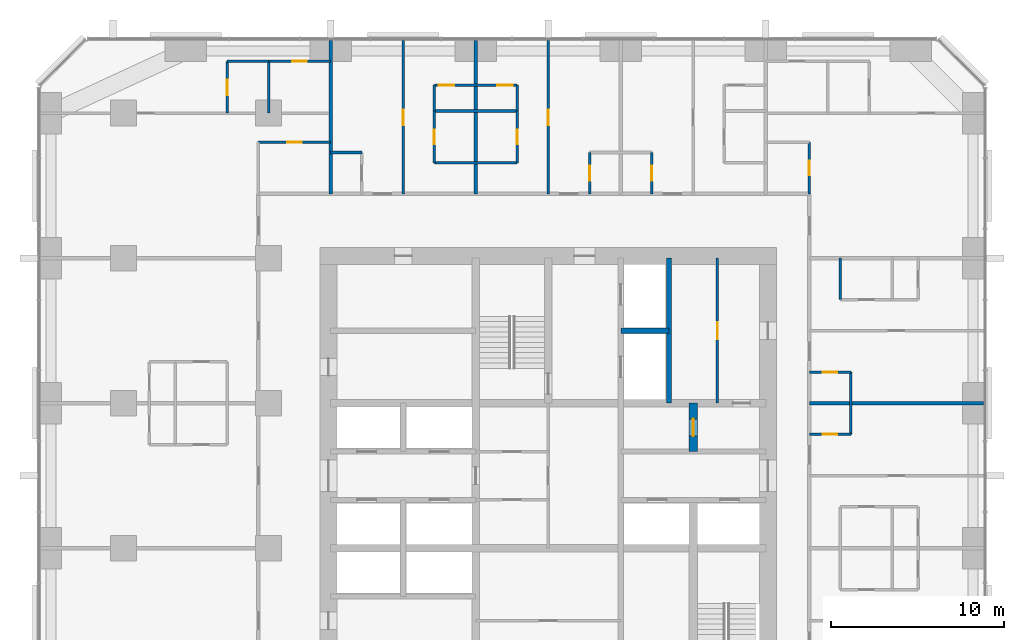
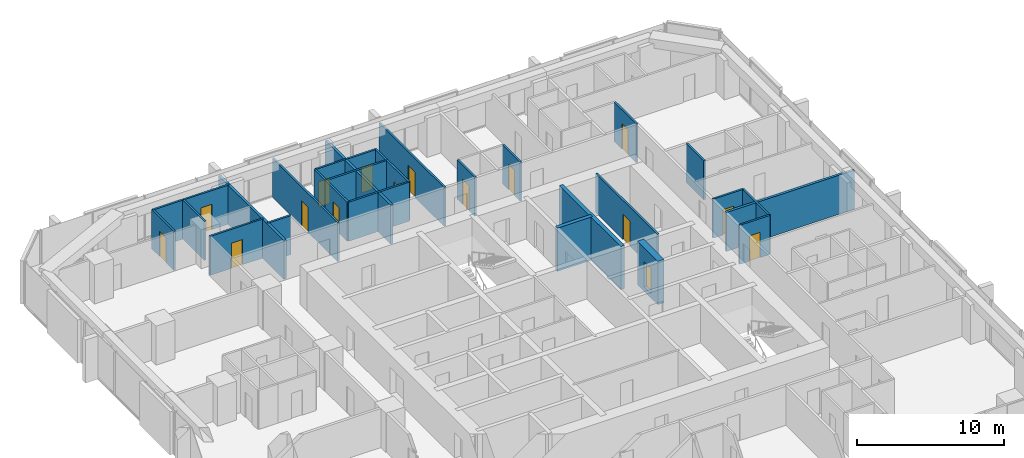
# One storey, part 12 of 14: 29 walls, 16 doors, 16 openings.
"""IFC4 building model written with IfcOpenShell, lengths in metres."""

from ifc_helpers import new_model, si_unit, direction, frame, frame_2d, origin, place, context, subcontext, project, spatial, rectangle, extrude, material, layer, layer_set, type_object, element, fill, save


model = new_model("IFC4")

# Units and contexts
model_context = context("Model", 3, precision=1e-05, world=origin(), true_north=direction((0.0, 1.0)))
body_context = subcontext(model_context, "Body", "Model", "MODEL_VIEW")
ifc_project = project(units=[si_unit("LENGTHUNIT", "METRE"), si_unit("AREAUNIT", "SQUARE_METRE"), si_unit("VOLUMEUNIT", "CUBIC_METRE"), si_unit("PLANEANGLEUNIT", "RADIAN"), si_unit("MASSUNIT", "GRAM", prefix="KILO")], contexts=[model_context])

# Site, building, storey
site_placement = place(None, origin())
site = spatial("IfcSite", under=ifc_project, at=site_placement, CompositionType="ELEMENT")
building_placement = place(site_placement, origin())
building = spatial("IfcBuilding", under=site, at=building_placement, Name="Dunama Terrace Hotel", CompositionType="ELEMENT")
storey_placement = place(building_placement, frame((0.0, 0.0, 126.0)))
storey = spatial("IfcBuildingStorey", under=building, at=storey_placement, Name="L32", CompositionType="ELEMENT", Elevation=126.0)

# Wall, opening, door
ifc_material_1 = material(Name="Gypsum board partition", Category="masonry")
ifc_layer_1 = layer(ifc_material_1, 0.14990234375)
ifc_layer_set_1 = layer_set([ifc_layer_1], Name="Bathroom partition 150")
wall_type_1 = type_object("IfcWallType", Name="Bathroom partition 150", PredefinedType="PARTITIONING", material=ifc_layer_set_1)
wall_1_placement = place(storey_placement, frame((22.800048828125, 47.52490234375, 0.0), z_axis=(0.0, 0.0, 1.0), x_axis=(0.0, 1.0, 0.0)))
wall_1 = element("IfcWall", 1, at=wall_1_placement, inside=storey, type_object=wall_type_1, Name="Bathroom partition 150 L32", PredefinedType="PARTITIONING", context=body_context, shape_type="SweptSolid", body=[
    extrude(rectangle(XDim=3.0, YDim=0.14990234375, at=frame_2d((1.5, 0.0))), origin(), (0.0, 0.0, 1.0), 3.25),
])
opening_1_placement = place(wall_1_placement, frame((1.074951171875, 0.0, 0.0)))
opening_1 = element("IfcOpeningElement", 2, at=opening_1_placement, cuts=wall_1, Name="Opening L31-33-041", PredefinedType="OPENING", context=body_context, shape_type="SweptSolid", body=[
    extrude(rectangle(XDim=0.85009765625, YDim=2.10009765625, at=frame_2d((0.425048828125, 1.050048828125))), frame((0.0, 0.0849609375, 0.0), z_axis=(0.0, -1.0, 0.0), x_axis=(1.0, 0.0, 0.0)), (0.0, 0.0, 1.0), 0.169921875),
])
ifc_material_2 = material(Name="Timber door with steel frame", Category="steel")
door_type_1 = type_object("IfcDoorType", Name="Bathroom door 850", OperationType="SINGLE_SWING_LEFT", PredefinedType="DOOR", material=ifc_material_2)
door_1_placement = place(opening_1_placement, frame((0.85009765625, 0.0, 0.0), z_axis=(0.0, 0.0, 1.0), x_axis=(-1.0, 0.0, 0.0)))
door_1 = element("IfcDoor", 3, at=door_1_placement, inside=storey, type_object=door_type_1, Name="Door to en-suite bathroom L31-33-041, type D2", OperationType="SINGLE_SWING_LEFT", OverallHeight=2.10009765625, OverallWidth=0.85009765625, PredefinedType="DOOR", context=body_context, shape_type="SweptSolid", body=[
    extrude(rectangle(XDim=0.85009765625, YDim=2.10009765625, at=frame_2d((0.425048828125, 1.050048828125))), frame((0.0, 0.025146484375, 0.0), z_axis=(0.0, -1.0, 0.0), x_axis=(1.0, 0.0, 0.0)), (0.0, 0.0, 1.0), 0.050048828125),
])
fill(opening_1, door_1)

wall_2_placement = place(storey_placement, frame((27.60009765625, 47.52490234375, 0.0), z_axis=(0.0, 0.0, 1.0), x_axis=(0.0, 1.0, 0.0)))
wall_2 = element("IfcWall", 4, at=wall_2_placement, inside=storey, type_object=wall_type_1, Name="Bathroom partition 150 L32", PredefinedType="PARTITIONING", context=body_context, shape_type="SweptSolid", body=[
    extrude(rectangle(XDim=3.0, YDim=0.14990234375, at=frame_2d((1.5, 0.0))), origin(), (0.0, 0.0, 1.0), 3.25),
])
opening_2_placement = place(wall_2_placement, frame((1.074951171875, 0.0, 0.0)))
opening_2 = element("IfcOpeningElement", 5, at=opening_2_placement, cuts=wall_2, Name="Opening L31-33-046", PredefinedType="OPENING", context=body_context, shape_type="SweptSolid", body=[
    extrude(rectangle(XDim=0.85009765625, YDim=2.10009765625, at=frame_2d((0.425048828125, 1.050048828125))), frame((0.0, 0.0849609375, 0.0), z_axis=(0.0, -1.0, 0.0), x_axis=(1.0, 0.0, 0.0)), (0.0, 0.0, 1.0), 0.169921875),
])
door_2_placement = place(opening_2_placement, origin())
door_2 = element("IfcDoor", 6, at=door_2_placement, inside=storey, type_object=door_type_1, Name="Door to en-suite bathroom L31-33-046, type D2", OperationType="SINGLE_SWING_RIGHT", OverallHeight=2.10009765625, OverallWidth=0.85009765625, PredefinedType="DOOR", context=body_context, shape_type="SweptSolid", body=[
    extrude(rectangle(XDim=0.85009765625, YDim=2.10009765625, at=frame_2d((0.425048828125, 1.050048828125))), frame((0.0, 0.02490234375, 0.0), z_axis=(0.0, -1.0, 0.0), x_axis=(1.0, 0.0, 0.0)), (0.0, 0.0, 1.0), 0.050048828125),
])
fill(opening_2, door_2)

wall_3_placement = place(storey_placement, frame((31.800048828125, 45.72509765625, 0.0), z_axis=(0.0, 0.0, 1.0), x_axis=(0.0, 1.0, 0.0)))
wall_3 = element("IfcWall", 7, at=wall_3_placement, inside=storey, type_object=wall_type_1, Name="Bathroom partition 150 L32", PredefinedType="PARTITIONING", context=body_context, shape_type="SweptSolid", body=[
    extrude(rectangle(XDim=2.39990234375, YDim=0.14990234375, at=frame_2d((1.199951171875, 0.0))), origin(), (0.0, 0.0, 1.0), 3.25),
])
opening_3_placement = place(wall_3_placement, frame((0.77490234375, 0.0, 0.0)))
opening_3 = element("IfcOpeningElement", 8, at=opening_3_placement, cuts=wall_3, Name="Opening L31-33-044", PredefinedType="OPENING", context=body_context, shape_type="SweptSolid", body=[
    extrude(rectangle(XDim=0.85009765625, YDim=2.10009765625, at=frame_2d((0.425048828125, 1.050048828125))), frame((0.0, 0.0849609375, 0.0), z_axis=(0.0, -1.0, 0.0), x_axis=(1.0, 0.0, 0.0)), (0.0, 0.0, 1.0), 0.169921875),
])
door_3_placement = place(opening_3_placement, frame((0.85009765625, 0.0, 0.0), z_axis=(0.0, 0.0, 1.0), x_axis=(-1.0, 0.0, 0.0)))
door_3 = element("IfcDoor", 9, at=door_3_placement, inside=storey, type_object=door_type_1, Name="Door to powder room L31-33-044, type D2", OperationType="SINGLE_SWING_RIGHT", OverallHeight=2.10009765625, OverallWidth=0.85009765625, PredefinedType="DOOR", context=body_context, shape_type="SweptSolid", body=[
    extrude(rectangle(XDim=0.85009765625, YDim=2.10009765625, at=frame_2d((0.425048828125, 1.050048828125))), frame((0.0, 0.025146484375, 0.0), z_axis=(0.0, -1.0, 0.0), x_axis=(1.0, 0.0, 0.0)), (0.0, 0.0, 1.0), 0.050048828125),
])
fill(opening_3, door_3)

wall_4_placement = place(storey_placement, frame((35.39990234375, 45.72509765625, 0.0), z_axis=(0.0, 0.0, 1.0), x_axis=(0.0, 1.0, 0.0)))
wall_4 = element("IfcWall", 10, at=wall_4_placement, inside=storey, type_object=wall_type_1, Name="Bathroom partition 150 L32", PredefinedType="PARTITIONING", context=body_context, shape_type="SweptSolid", body=[
    extrude(rectangle(XDim=2.39990234375, YDim=0.14990234375, at=frame_2d((1.199951171875, 0.0))), origin(), (0.0, 0.0, 1.0), 3.25),
])
opening_4_placement = place(wall_4_placement, frame((0.77490234375, 0.0, 0.0)))
opening_4 = element("IfcOpeningElement", 11, at=opening_4_placement, cuts=wall_4, Name="Opening L31-33-049", PredefinedType="OPENING", context=body_context, shape_type="SweptSolid", body=[
    extrude(rectangle(XDim=0.85009765625, YDim=2.10009765625, at=frame_2d((0.425048828125, 1.050048828125))), frame((0.0, 0.0849609375, 0.0), z_axis=(0.0, -1.0, 0.0), x_axis=(1.0, 0.0, 0.0)), (0.0, 0.0, 1.0), 0.169921875),
])
door_4_placement = place(opening_4_placement, origin())
door_4 = element("IfcDoor", 12, at=door_4_placement, inside=storey, type_object=door_type_1, Name="Door to powder room L31-33-049, type D2", OperationType="SINGLE_SWING_LEFT", OverallHeight=2.10009765625, OverallWidth=0.85009765625, PredefinedType="DOOR", context=body_context, shape_type="SweptSolid", body=[
    extrude(rectangle(XDim=0.85009765625, YDim=2.10009765625, at=frame_2d((0.425048828125, 1.050048828125))), frame((0.0, 0.02490234375, 0.0), z_axis=(0.0, -1.0, 0.0), x_axis=(1.0, 0.0, 0.0)), (0.0, 0.0, 1.0), 0.050048828125),
])
fill(opening_4, door_4)

wall_5_placement = place(storey_placement, frame((44.52490234375, 45.72509765625, 0.0), z_axis=(0.0, 0.0, 1.0), x_axis=(0.0, 1.0, 0.0)))
wall_5 = element("IfcWall", 13, at=wall_5_placement, inside=storey, type_object=wall_type_1, Name="Bathroom partition 150 L32", PredefinedType="PARTITIONING", context=body_context, shape_type="SweptSolid", body=[
    extrude(rectangle(XDim=3.0, YDim=0.14990234375, at=frame_2d((1.5, 0.0))), origin(), (0.0, 0.0, 1.0), 3.25),
])
opening_5_placement = place(wall_5_placement, frame((1.074951171875, 0.0, 0.0)))
opening_5 = element("IfcOpeningElement", 14, at=opening_5_placement, cuts=wall_5, Name="Opening L31-33-073", PredefinedType="OPENING", context=body_context, shape_type="SweptSolid", body=[
    extrude(rectangle(XDim=0.85009765625, YDim=2.10009765625, at=frame_2d((0.425048828125, 1.050048828125))), frame((0.0, 0.0849609375, 0.0), z_axis=(0.0, -1.0, 0.0), x_axis=(1.0, 0.0, 0.0)), (0.0, 0.0, 1.0), 0.169921875),
])
door_5_placement = place(opening_5_placement, origin())
door_5 = element("IfcDoor", 15, at=door_5_placement, inside=storey, type_object=door_type_1, Name="Door to powder room L31-33-073, type D2", OperationType="SINGLE_SWING_LEFT", OverallHeight=2.10009765625, OverallWidth=0.85009765625, PredefinedType="DOOR", context=body_context, shape_type="SweptSolid", body=[
    extrude(rectangle(XDim=0.85009765625, YDim=2.10009765625, at=frame_2d((0.425048828125, 1.050048828125))), frame((0.0, 0.02490234375, 0.0), z_axis=(0.0, -1.0, 0.0), x_axis=(1.0, 0.0, 0.0)), (0.0, 0.0, 1.0), 0.050048828125),
])
fill(opening_5, door_5)

# Walls
wall_6_placement = place(storey_placement, frame((46.324951171875, 39.60009765625, 0.0), z_axis=(0.0, 0.0, 1.0), x_axis=(0.0, 1.0, 0.0)))
element("IfcWall", 16, at=wall_6_placement, inside=storey, type_object=wall_type_1, Name="Bathroom partition 150 L32", PredefinedType="PARTITIONING", context=body_context, shape_type="SweptSolid", body=[
    extrude(rectangle(XDim=2.39990234375, YDim=0.14990234375, at=frame_2d((1.199951171875, 0.0))), origin(), (0.0, 0.0, 1.0), 3.25),
])
wall_7_placement = place(storey_placement, frame((46.925048828125, 31.800048828125, 0.0), z_axis=(0.0, 0.0, 1.0), x_axis=(0.0, 1.0, 0.0)))
element("IfcWall", 17, at=wall_7_placement, inside=storey, type_object=wall_type_1, Name="Bathroom partition 150 L32", PredefinedType="PARTITIONING", context=body_context, shape_type="SweptSolid", body=[
    extrude(rectangle(XDim=3.599853515625, YDim=0.14990234375, at=frame_2d((1.7998046875, 0.0))), origin(), (0.0, 0.0, 1.0), 3.25),
])

# Wall, opening, door
wall_8_placement = place(storey_placement, frame((44.52490234375, 31.800048828125, 0.0), z_axis=(0.0, 0.0, 1.0), x_axis=(1.0, 0.0, 0.0)))
wall_8 = element("IfcWall", 18, at=wall_8_placement, inside=storey, type_object=wall_type_1, Name="Bathroom partition 150 L32", PredefinedType="PARTITIONING", context=body_context, shape_type="SweptSolid", body=[
    extrude(rectangle(XDim=2.400146484375, YDim=0.14990234375, at=frame_2d((1.2001953125, 0.0))), origin(), (0.0, 0.0, 1.0), 3.25),
])
opening_6_placement = place(wall_8_placement, frame((0.77490234375, 0.0, 0.0)))
opening_6 = element("IfcOpeningElement", 19, at=opening_6_placement, cuts=wall_8, Name="Opening L31-33-029", PredefinedType="OPENING", context=body_context, shape_type="SweptSolid", body=[
    extrude(rectangle(XDim=0.85009765625, YDim=2.10009765625, at=frame_2d((0.425048828125, 1.050048828125))), frame((0.0, 0.0849609375, 0.0), z_axis=(0.0, -1.0, 0.0), x_axis=(1.0, 0.0, 0.0)), (0.0, 0.0, 1.0), 0.169921875),
])
door_6_placement = place(opening_6_placement, origin())
door_6 = element("IfcDoor", 20, at=door_6_placement, inside=storey, type_object=door_type_1, Name="Door to powder room L31-33-029, type D2", OperationType="SINGLE_SWING_LEFT", OverallHeight=2.10009765625, OverallWidth=0.85009765625, PredefinedType="DOOR", context=body_context, shape_type="SweptSolid", body=[
    extrude(rectangle(XDim=0.85009765625, YDim=2.10009765625, at=frame_2d((0.425048828125, 1.050048828125))), frame((0.0, 0.02490234375, 0.0), z_axis=(0.0, -1.0, 0.0), x_axis=(1.0, 0.0, 0.0)), (0.0, 0.0, 1.0), 0.050048828125),
])
fill(opening_6, door_6)

wall_9_placement = place(storey_placement, frame((44.52490234375, 35.39990234375, 0.0), z_axis=(0.0, 0.0, 1.0), x_axis=(1.0, 0.0, 0.0)))
wall_9 = element("IfcWall", 21, at=wall_9_placement, inside=storey, type_object=wall_type_1, Name="Bathroom partition 150 L32", PredefinedType="PARTITIONING", context=body_context, shape_type="SweptSolid", body=[
    extrude(rectangle(XDim=2.400146484375, YDim=0.14990234375, at=frame_2d((1.2001953125, 0.0))), origin(), (0.0, 0.0, 1.0), 3.25),
])
opening_7_placement = place(wall_9_placement, frame((0.77490234375, 0.0, 0.0)))
opening_7 = element("IfcOpeningElement", 22, at=opening_7_placement, cuts=wall_9, Name="Opening L31-33-034", PredefinedType="OPENING", context=body_context, shape_type="SweptSolid", body=[
    extrude(rectangle(XDim=0.85009765625, YDim=2.10009765625, at=frame_2d((0.425048828125, 1.050048828125))), frame((0.0, 0.0849609375, 0.0), z_axis=(0.0, -1.0, 0.0), x_axis=(1.0, 0.0, 0.0)), (0.0, 0.0, 1.0), 0.169921875),
])
door_7_placement = place(opening_7_placement, frame((0.85009765625, 0.0, 0.0), z_axis=(0.0, 0.0, 1.0), x_axis=(-1.0, 0.0, 0.0)))
door_7 = element("IfcDoor", 23, at=door_7_placement, inside=storey, type_object=door_type_1, Name="Door to powder room L31-33-034, type D2", OperationType="SINGLE_SWING_RIGHT", OverallHeight=2.10009765625, OverallWidth=0.85009765625, PredefinedType="DOOR", context=body_context, shape_type="SweptSolid", body=[
    extrude(rectangle(XDim=0.85009765625, YDim=2.10009765625, at=frame_2d((0.425048828125, 1.050048828125))), frame((0.0, 0.025146484375, 0.0), z_axis=(0.0, -1.0, 0.0), x_axis=(1.0, 0.0, 0.0)), (0.0, 0.0, 1.0), 0.050048828125),
])
fill(opening_7, door_7)

# Walls
wall_10_placement = place(storey_placement, frame((22.800048828125, 47.52490234375, 0.0), z_axis=(0.0, 0.0, 1.0), x_axis=(1.0, 0.0, 0.0)))
element("IfcWall", 24, at=wall_10_placement, inside=storey, type_object=wall_type_1, Name="Bathroom partition 150 L32", PredefinedType="PARTITIONING", context=body_context, shape_type="SweptSolid", body=[
    extrude(rectangle(XDim=4.800048828125, YDim=0.14990234375, at=frame_2d((2.39990234375, 0.0))), origin(), (0.0, 0.0, 1.0), 3.25),
])
wall_11_placement = place(storey_placement, frame((16.800048828125, 48.125, 0.0), z_axis=(0.0, 0.0, 1.0), x_axis=(1.0, 0.0, 0.0)))
element("IfcWall", 25, at=wall_11_placement, inside=storey, type_object=wall_type_1, Name="Bathroom partition 150 L32", PredefinedType="PARTITIONING", context=body_context, shape_type="SweptSolid", body=[
    extrude(rectangle(XDim=1.800048828125, YDim=0.14990234375, at=frame_2d((0.89990234375, 0.0))), origin(), (0.0, 0.0, 1.0), 3.25),
])

# Wall, opening, door
wall_12_placement = place(storey_placement, frame((12.60009765625, 48.72509765625, 0.0), z_axis=(0.0, 0.0, 1.0), x_axis=(1.0, 0.0, 0.0)))
wall_12 = element("IfcWall", 26, at=wall_12_placement, inside=storey, type_object=wall_type_1, Name="Bathroom partition 150 L32", PredefinedType="PARTITIONING", context=body_context, shape_type="SweptSolid", body=[
    extrude(rectangle(XDim=4.199951171875, YDim=0.14990234375, at=frame_2d((2.10009765625, 0.0))), origin(), (0.0, 0.0, 1.0), 3.25),
])
opening_8_placement = place(wall_12_placement, frame((1.675048828125, 0.0, 0.0)))
opening_8 = element("IfcOpeningElement", 27, at=opening_8_placement, cuts=wall_12, Name="Opening L31-33-078", PredefinedType="OPENING", context=body_context, shape_type="SweptSolid", body=[
    extrude(rectangle(XDim=0.85009765625, YDim=2.10009765625, at=frame_2d((0.425048828125, 1.050048828125))), frame((0.0, 0.0849609375, 0.0), z_axis=(0.0, -1.0, 0.0), x_axis=(1.0, 0.0, 0.0)), (0.0, 0.0, 1.0), 0.169921875),
])
door_8_placement = place(opening_8_placement, frame((0.85009765625, 0.0, 0.0), z_axis=(0.0, 0.0, 1.0), x_axis=(-1.0, 0.0, 0.0)))
door_8 = element("IfcDoor", 28, at=door_8_placement, inside=storey, type_object=door_type_1, Name="Door to powder room L31-33-078, type D2", OperationType="SINGLE_SWING_RIGHT", OverallHeight=2.10009765625, OverallWidth=0.85009765625, PredefinedType="DOOR", context=body_context, shape_type="SweptSolid", body=[
    extrude(rectangle(XDim=0.85009765625, YDim=2.10009765625, at=frame_2d((0.425048828125, 1.050048828125))), frame((0.0, 0.025146484375, 0.0), z_axis=(0.0, -1.0, 0.0), x_axis=(1.0, 0.0, 0.0)), (0.0, 0.0, 1.0), 0.050048828125),
])
fill(opening_8, door_8)

wall_13_placement = place(storey_placement, frame((13.199951171875, 53.39990234375, 0.0), z_axis=(0.0, 0.0, 1.0), x_axis=(1.0, 0.0, 0.0)))
wall_13 = element("IfcWall", 29, at=wall_13_placement, inside=storey, type_object=wall_type_1, Name="Bathroom partition 150 L32", PredefinedType="PARTITIONING", context=body_context, shape_type="SweptSolid", body=[
    extrude(rectangle(XDim=3.60009765625, YDim=0.14990234375, at=frame_2d((1.800048828125, 0.0))), origin(), (0.0, 0.0, 1.0), 3.25),
])
opening_9_placement = place(wall_13_placement, frame((1.375, 0.0, 0.0)))
opening_9 = element("IfcOpeningElement", 30, at=opening_9_placement, cuts=wall_13, Name="Opening L31-33-080", PredefinedType="OPENING", context=body_context, shape_type="SweptSolid", body=[
    extrude(rectangle(XDim=0.85009765625, YDim=2.10009765625, at=frame_2d((0.425048828125, 1.050048828125))), frame((0.0, 0.0849609375, 0.0), z_axis=(0.0, -1.0, 0.0), x_axis=(1.0, 0.0, 0.0)), (0.0, 0.0, 1.0), 0.169921875),
])
door_9_placement = place(opening_9_placement, frame((0.85009765625, 0.0, 0.0), z_axis=(0.0, 0.0, 1.0), x_axis=(-1.0, 0.0, 0.0)))
door_9 = element("IfcDoor", 31, at=door_9_placement, inside=storey, type_object=door_type_1, Name="Door to en-suite bathroom L31-33-080, type D2", OperationType="SINGLE_SWING_LEFT", OverallHeight=2.10009765625, OverallWidth=0.85009765625, PredefinedType="DOOR", context=body_context, shape_type="SweptSolid", body=[
    extrude(rectangle(XDim=0.85009765625, YDim=2.10009765625, at=frame_2d((0.425048828125, 1.050048828125))), frame((0.0, 0.025146484375, 0.0), z_axis=(0.0, -1.0, 0.0), x_axis=(1.0, 0.0, 0.0)), (0.0, 0.0, 1.0), 0.050048828125),
])
fill(opening_9, door_9)

# Walls
ifc_material_3 = material(Name="Concrete C50/60", Category="concrete")
ifc_layer_2 = layer(ifc_material_3, 0.300048828125)
ifc_layer_set_2 = layer_set([ifc_layer_2], Name="Core inner wall 300")
wall_type_2 = type_object("IfcWallType", Name="Core inner wall 300", PredefinedType="SHEAR", material=ifc_layer_set_2)
wall_14_placement = place(storey_placement, frame((36.39990234375, 33.60009765625, -0.35009765625), z_axis=(0.0, 0.0, 1.0), x_axis=(0.0, 1.0, 0.0)))
element("IfcWall", 32, at=wall_14_placement, inside=storey, type_object=wall_type_2, Name="Core inner wall 300 L32", PredefinedType="SHEAR", context=body_context, shape_type="SweptSolid", body=[
    extrude(rectangle(XDim=8.39990234375, YDim=0.300048828125, at=frame_2d((4.199951171875, 0.0))), origin(), (0.0, 0.0, 1.0), 3.60009765625),
])
wall_15_placement = place(storey_placement, frame((33.60009765625, 37.800048828125, -0.35009765625), z_axis=(0.0, 0.0, 1.0), x_axis=(1.0, 0.0, 0.0)))
element("IfcWall", 33, at=wall_15_placement, inside=storey, type_object=wall_type_2, Name="Core inner wall 300 L32", PredefinedType="SHEAR", context=body_context, shape_type="SweptSolid", body=[
    extrude(rectangle(XDim=2.7998046875, YDim=0.300048828125, at=frame_2d((1.39990234375, 0.0))), origin(), (0.0, 0.0, 1.0), 3.60009765625),
])

# Wall, opening, door
ifc_material_4 = material(Name="Concrete C50/60", Category="concrete")
ifc_layer_3 = layer(ifc_material_4, 0.5)
ifc_layer_set_3 = layer_set([ifc_layer_3], Name="Core inner wall 500")
wall_type_3 = type_object("IfcWallType", Name="Core inner wall 500", PredefinedType="SHEAR", material=ifc_layer_set_3)
wall_16_placement = place(storey_placement, frame((37.800048828125, 30.800048828125, -0.35009765625), z_axis=(0.0, 0.0, 1.0), x_axis=(0.0, 1.0, 0.0)))
wall_16 = element("IfcWall", 34, at=wall_16_placement, inside=storey, type_object=wall_type_3, Name="Core inner wall 500 L32", PredefinedType="SHEAR", context=body_context, shape_type="SweptSolid", body=[
    extrude(rectangle(XDim=2.800048828125, YDim=0.5, at=frame_2d((1.39990234375, 0.0))), origin(), (0.0, 0.0, 1.0), 3.60009765625),
])
opening_10_placement = place(wall_16_placement, frame((0.89990234375, 0.0, 0.35009765625)))
opening_10 = element("IfcOpeningElement", 35, at=opening_10_placement, cuts=wall_16, Name="Opening L31-33-090", PredefinedType="OPENING", context=body_context, shape_type="SweptSolid", body=[
    extrude(rectangle(XDim=1.0, YDim=2.10009765625, at=frame_2d((0.5, 1.050048828125))), frame((0.0, 0.260009765625, 0.0), z_axis=(0.0, -1.0, 0.0), x_axis=(1.0, 0.0, 0.0)), (0.0, 0.0, 1.0), 0.52001953125),
])
ifc_material_5 = material(Name="Timber door with steel frame", Category="steel")
door_type_2 = type_object("IfcDoorType", Name="Service door 1000", OperationType="SINGLE_SWING_LEFT", PredefinedType="DOOR", material=ifc_material_5)
door_10_placement = place(opening_10_placement, frame((1.0, 0.0, 0.0), z_axis=(0.0, 0.0, 1.0), x_axis=(-1.0, 0.0, 0.0)))
door_10 = element("IfcDoor", 36, at=door_10_placement, inside=storey, type_object=door_type_2, Name="Door to service riser L31-33-090, type D7", OperationType="SINGLE_SWING_LEFT", OverallHeight=2.10009765625, OverallWidth=1.0, PredefinedType="DOOR", context=body_context, shape_type="SweptSolid", body=[
    extrude(rectangle(XDim=1.0, YDim=2.10009765625, at=frame_2d((0.5, 1.050048828125))), frame((0.0, 0.025146484375, 0.0), z_axis=(0.0, -1.0, 0.0), x_axis=(1.0, 0.0, 0.0)), (0.0, 0.0, 1.0), 0.050048828125),
])
fill(opening_10, door_10)

# Walls
ifc_material_6 = material(Name="Concrete blockwork", Category="masonry")
ifc_layer_4 = layer(ifc_material_6, 0.199951171875)
ifc_layer_set_4 = layer_set([ifc_layer_4], Name="Party wall 200")
wall_type_4 = type_object("IfcWallType", Name="Party wall 200", PredefinedType="PARTITIONING", material=ifc_layer_set_4)
for number, where, z_axis, x_axis, name in (
    (37, (16.800048828125, 45.72509765625, 0.0), (0.0, 0.0, 1.0), (0.0, 1.0, 0.0), "Party wall 200 L32"),
    (38, (25.199951171875, 45.72509765625, 0.0), (0.0, 0.0, 1.0), (0.0, 1.0, 0.0), "Party wall 200 L32"),
):
    element("IfcWall", number, at=place(storey_placement, frame(where, z_axis=z_axis, x_axis=x_axis)), inside=storey, type_object=wall_type_4, Name=name, PredefinedType="PARTITIONING", context=body_context, shape_type="SweptSolid", body=[
        extrude(rectangle(XDim=8.892822265625, YDim=0.199951171875, at=frame_2d((4.4462890625, 0.0))), origin(), (0.0, 0.0, 1.0), 3.25),
    ])
wall_17_placement = place(storey_placement, frame((44.52490234375, 33.60009765625, 0.0), z_axis=(0.0, 0.0, 1.0), x_axis=(1.0, 0.0, 0.0)))
element("IfcWall", 39, at=wall_17_placement, inside=storey, type_object=wall_type_4, Name="Party wall 200 L32", PredefinedType="PARTITIONING", context=body_context, shape_type="SweptSolid", body=[
    extrude(rectangle(XDim=10.093017578125, YDim=0.199951171875, at=frame_2d((5.04638671875, 0.0))), origin(), (0.0, 0.0, 1.0), 3.25),
])

# Wall, opening, door
ifc_material_7 = material(Name="Gypsum board partition", Category="masonry")
ifc_layer_5 = layer(ifc_material_7, 0.14990234375)
ifc_layer_set_5 = layer_set([ifc_layer_5], Name="Room partition 150")
wall_type_5 = type_object("IfcWallType", Name="Room partition 150", PredefinedType="PARTITIONING", material=ifc_layer_set_5)
wall_18_placement = place(storey_placement, frame((10.800048828125, 50.39990234375, 0.0), z_axis=(0.0, 0.0, 1.0), x_axis=(0.0, 1.0, 0.0)))
wall_18 = element("IfcWall", 40, at=wall_18_placement, inside=storey, type_object=wall_type_5, Name="Room partition 150 L32", PredefinedType="PARTITIONING", context=body_context, shape_type="SweptSolid", body=[
    extrude(rectangle(XDim=3.0, YDim=0.14990234375, at=frame_2d((1.5, 0.0))), origin(), (0.0, 0.0, 1.0), 3.25),
])
opening_11_placement = place(wall_18_placement, frame((1.050048828125, 0.0, 0.0)))
opening_11 = element("IfcOpeningElement", 41, at=opening_11_placement, cuts=wall_18, Name="Opening L31-33-081", PredefinedType="OPENING", context=body_context, shape_type="SweptSolid", body=[
    extrude(rectangle(XDim=0.89990234375, YDim=2.10009765625, at=frame_2d((0.449951171875, 1.050048828125))), frame((0.0, 0.0849609375, 0.0), z_axis=(0.0, -1.0, 0.0), x_axis=(1.0, 0.0, 0.0)), (0.0, 0.0, 1.0), 0.169921875),
])
ifc_material_8 = material(Name="Timber door with steel frame", Category="steel")
door_type_3 = type_object("IfcDoorType", Name="Suite internal door 900", OperationType="SINGLE_SWING_LEFT", PredefinedType="DOOR", material=ifc_material_8)
door_11_placement = place(opening_11_placement, frame((0.89990234375, 0.0, 0.0), z_axis=(0.0, 0.0, 1.0), x_axis=(-1.0, 0.0, 0.0)))
door_11 = element("IfcDoor", 42, at=door_11_placement, inside=storey, type_object=door_type_3, Name="Door to dressing room L31-33-081, type D16", OperationType="SINGLE_SWING_RIGHT", OverallHeight=2.10009765625, OverallWidth=0.89990234375, PredefinedType="DOOR", context=body_context, shape_type="SweptSolid", body=[
    extrude(rectangle(XDim=0.89990234375, YDim=2.10009765625, at=frame_2d((0.449951171875, 1.050048828125))), frame((0.0, 0.025146484375, 0.0), z_axis=(0.0, -1.0, 0.0), x_axis=(1.0, 0.0, 0.0)), (0.0, 0.0, 1.0), 0.050048828125),
])
fill(opening_11, door_11)

# Wall
wall_19_placement = place(storey_placement, frame((13.199951171875, 50.39990234375, 0.0), z_axis=(0.0, 0.0, 1.0), x_axis=(0.0, 1.0, 0.0)))
element("IfcWall", 43, at=wall_19_placement, inside=storey, type_object=wall_type_5, Name="Room partition 150 L32", PredefinedType="PARTITIONING", context=body_context, shape_type="SweptSolid", body=[
    extrude(rectangle(XDim=3.0, YDim=0.14990234375, at=frame_2d((1.5, 0.0))), origin(), (0.0, 0.0, 1.0), 3.25),
])

# Wall, opening, door
wall_20_placement = place(storey_placement, frame((21.0, 45.72509765625, 0.0), z_axis=(0.0, 0.0, 1.0), x_axis=(0.0, 1.0, 0.0)))
wall_20 = element("IfcWall", 44, at=wall_20_placement, inside=storey, type_object=wall_type_5, Name="Room partition 150 L32", PredefinedType="PARTITIONING", context=body_context, shape_type="SweptSolid", body=[
    extrude(rectangle(XDim=8.892822265625, YDim=0.14990234375, at=frame_2d((4.4462890625, 0.0))), origin(), (0.0, 0.0, 1.0), 3.25),
])
opening_12_placement = place(wall_20_placement, frame((3.987060546875, 0.0, 0.0)))
opening_12 = element("IfcOpeningElement", 45, at=opening_12_placement, cuts=wall_20, Name="Opening L31-33-040", PredefinedType="OPENING", context=body_context, shape_type="SweptSolid", body=[
    extrude(rectangle(XDim=0.89990234375, YDim=2.10009765625, at=frame_2d((0.449951171875, 1.050048828125))), frame((0.0, 0.0849609375, 0.0), z_axis=(0.0, -1.0, 0.0), x_axis=(1.0, 0.0, 0.0)), (0.0, 0.0, 1.0), 0.169921875),
])
door_12_placement = place(opening_12_placement, frame((0.89990234375, 0.0, 0.0), z_axis=(0.0, 0.0, 1.0), x_axis=(-1.0, 0.0, 0.0)))
door_12 = element("IfcDoor", 46, at=door_12_placement, inside=storey, type_object=door_type_3, Name="Door to premier suite bedroom L31-33-040, type D16", OperationType="SINGLE_SWING_RIGHT", OverallHeight=2.10009765625, OverallWidth=0.89990234375, PredefinedType="DOOR", context=body_context, shape_type="SweptSolid", body=[
    extrude(rectangle(XDim=0.89990234375, YDim=2.10009765625, at=frame_2d((0.449951171875, 1.050048828125))), frame((0.0, 0.025146484375, 0.0), z_axis=(0.0, -1.0, 0.0), x_axis=(1.0, 0.0, 0.0)), (0.0, 0.0, 1.0), 0.050048828125),
])
fill(opening_12, door_12)

# Walls
for number, where, z_axis, x_axis, name in (
    (47, (22.800048828125, 50.52490234375, 0.0), (0.0, 0.0, 1.0), (0.0, 1.0, 0.0), "Room partition 150 L32"),
    (48, (27.60009765625, 50.52490234375, 0.0), (0.0, 0.0, 1.0), (0.0, 1.0, 0.0), "Room partition 150 L32"),
):
    element("IfcWall", number, at=place(storey_placement, frame(where, z_axis=z_axis, x_axis=x_axis)), inside=storey, type_object=wall_type_5, Name=name, PredefinedType="PARTITIONING", context=body_context, shape_type="SweptSolid", body=[
        extrude(rectangle(XDim=1.5, YDim=0.14990234375, at=frame_2d((0.75, 0.0))), origin(), (0.0, 0.0, 1.0), 3.25),
    ])

# Wall, opening, door
wall_21_placement = place(storey_placement, frame((29.39990234375, 45.72509765625, 0.0), z_axis=(0.0, 0.0, 1.0), x_axis=(0.0, 1.0, 0.0)))
wall_21 = element("IfcWall", 49, at=wall_21_placement, inside=storey, type_object=wall_type_5, Name="Room partition 150 L32", PredefinedType="PARTITIONING", context=body_context, shape_type="SweptSolid", body=[
    extrude(rectangle(XDim=8.892822265625, YDim=0.14990234375, at=frame_2d((4.4462890625, 0.0))), origin(), (0.0, 0.0, 1.0), 3.25),
])
opening_13_placement = place(wall_21_placement, frame((3.987060546875, 0.0, 0.0)))
opening_13 = element("IfcOpeningElement", 50, at=opening_13_placement, cuts=wall_21, Name="Opening L31-33-045", PredefinedType="OPENING", context=body_context, shape_type="SweptSolid", body=[
    extrude(rectangle(XDim=0.89990234375, YDim=2.10009765625, at=frame_2d((0.449951171875, 1.050048828125))), frame((0.0, 0.0849609375, 0.0), z_axis=(0.0, -1.0, 0.0), x_axis=(1.0, 0.0, 0.0)), (0.0, 0.0, 1.0), 0.169921875),
])
door_13_placement = place(opening_13_placement, origin())
door_13 = element("IfcDoor", 51, at=door_13_placement, inside=storey, type_object=door_type_3, Name="Door to premier suite bedroom L31-33-045, type D16", OperationType="SINGLE_SWING_LEFT", OverallHeight=2.10009765625, OverallWidth=0.89990234375, PredefinedType="DOOR", context=body_context, shape_type="SweptSolid", body=[
    extrude(rectangle(XDim=0.89990234375, YDim=2.10009765625, at=frame_2d((0.449951171875, 1.050048828125))), frame((0.0, 0.02490234375, 0.0), z_axis=(0.0, -1.0, 0.0), x_axis=(1.0, 0.0, 0.0)), (0.0, 0.0, 1.0), 0.050048828125),
])
fill(opening_13, door_13)

wall_22_placement = place(storey_placement, frame((39.199951171875, 33.60009765625, 0.0), z_axis=(0.0, 0.0, 1.0), x_axis=(0.0, 1.0, 0.0)))
wall_22 = element("IfcWall", 52, at=wall_22_placement, inside=storey, type_object=wall_type_5, Name="Room partition 150 L32", PredefinedType="PARTITIONING", context=body_context, shape_type="SweptSolid", body=[
    extrude(rectangle(XDim=8.39990234375, YDim=0.14990234375, at=frame_2d((4.199951171875, 0.0))), origin(), (0.0, 0.0, 1.0), 3.25),
])
opening_14_placement = place(wall_22_placement, frame((3.699951171875, 0.0, 0.0)))
opening_14 = element("IfcOpeningElement", 53, at=opening_14_placement, cuts=wall_22, Name="Opening L31-33-095", PredefinedType="OPENING", context=body_context, shape_type="SweptSolid", body=[
    extrude(rectangle(XDim=1.0, YDim=2.10009765625, at=frame_2d((0.5, 1.050048828125))), frame((0.0, 0.0849609375, 0.0), z_axis=(0.0, -1.0, 0.0), x_axis=(1.0, 0.0, 0.0)), (0.0, 0.0, 1.0), 0.169921875),
])
door_14_placement = place(opening_14_placement, frame((1.0, 0.0, 0.0), z_axis=(0.0, 0.0, 1.0), x_axis=(-1.0, 0.0, 0.0)))
door_14 = element("IfcDoor", 54, at=door_14_placement, inside=storey, type_object=door_type_2, Name="Door to luggage store L31-33-095, type D7", OperationType="SINGLE_SWING_RIGHT", OverallHeight=2.10009765625, OverallWidth=1.0, PredefinedType="DOOR", context=body_context, shape_type="SweptSolid", body=[
    extrude(rectangle(XDim=1.0, YDim=2.10009765625, at=frame_2d((0.5, 1.050048828125))), frame((0.0, 0.025146484375, 0.0), z_axis=(0.0, -1.0, 0.0), x_axis=(1.0, 0.0, 0.0)), (0.0, 0.0, 1.0), 0.050048828125),
])
fill(opening_14, door_14)

# Wall
wall_23_placement = place(storey_placement, frame((22.800048828125, 50.52490234375, 0.0), z_axis=(0.0, 0.0, 1.0), x_axis=(1.0, 0.0, 0.0)))
element("IfcWall", 55, at=wall_23_placement, inside=storey, type_object=wall_type_5, Name="Room partition 150 L32", PredefinedType="PARTITIONING", context=body_context, shape_type="SweptSolid", body=[
    extrude(rectangle(XDim=4.800048828125, YDim=0.14990234375, at=frame_2d((2.39990234375, 0.0))), origin(), (0.0, 0.0, 1.0), 3.25),
])

# Wall, openings, doors
wall_24_placement = place(storey_placement, frame((22.800048828125, 52.02490234375, 0.0), z_axis=(0.0, 0.0, 1.0), x_axis=(1.0, 0.0, 0.0)))
wall_24 = element("IfcWall", 56, at=wall_24_placement, inside=storey, type_object=wall_type_5, Name="Room partition 150 L32", PredefinedType="PARTITIONING", context=body_context, shape_type="SweptSolid", body=[
    extrude(rectangle(XDim=4.800048828125, YDim=0.14990234375, at=frame_2d((2.39990234375, 0.0))), origin(), (0.0, 0.0, 1.0), 3.25),
])
opening_15_placement = place(wall_24_placement, frame((0.25, 0.0, 0.0)))
opening_15 = element("IfcOpeningElement", 57, at=opening_15_placement, cuts=wall_24, Name="Opening L31-33-042", PredefinedType="OPENING", context=body_context, shape_type="SweptSolid", body=[
    extrude(rectangle(XDim=0.89990234375, YDim=2.10009765625, at=frame_2d((0.449951171875, 1.050048828125))), frame((0.0, 0.0849609375, 0.0), z_axis=(0.0, -1.0, 0.0), x_axis=(1.0, 0.0, 0.0)), (0.0, 0.0, 1.0), 0.169921875),
])
opening_16_placement = place(wall_24_placement, frame((3.64990234375, 0.0, 0.0)))
opening_16 = element("IfcOpeningElement", 58, at=opening_16_placement, cuts=wall_24, Name="Opening L31-33-047", PredefinedType="OPENING", context=body_context, shape_type="SweptSolid", body=[
    extrude(rectangle(XDim=0.89990234375, YDim=2.10009765625, at=frame_2d((0.449951171875, 1.050048828125))), frame((0.0, 0.0849609375, 0.0), z_axis=(0.0, -1.0, 0.0), x_axis=(1.0, 0.0, 0.0)), (0.0, 0.0, 1.0), 0.169921875),
])
door_15_placement = place(opening_15_placement, frame((0.89990234375, 0.0, 0.0), z_axis=(0.0, 0.0, 1.0), x_axis=(-1.0, 0.0, 0.0)))
door_15 = element("IfcDoor", 59, at=door_15_placement, inside=storey, type_object=door_type_3, Name="Door to walk-in wardrobe L31-33-042, type D16", OperationType="SINGLE_SWING_RIGHT", OverallHeight=2.10009765625, OverallWidth=0.89990234375, PredefinedType="DOOR", context=body_context, shape_type="SweptSolid", body=[
    extrude(rectangle(XDim=0.89990234375, YDim=2.10009765625, at=frame_2d((0.449951171875, 1.050048828125))), frame((0.0, 0.025146484375, 0.0), z_axis=(0.0, -1.0, 0.0), x_axis=(1.0, 0.0, 0.0)), (0.0, 0.0, 1.0), 0.050048828125),
])
fill(opening_15, door_15)
door_16_placement = place(opening_16_placement, frame((0.89990234375, 0.0, 0.0), z_axis=(0.0, 0.0, 1.0), x_axis=(-1.0, 0.0, 0.0)))
door_16 = element("IfcDoor", 60, at=door_16_placement, inside=storey, type_object=door_type_3, Name="Door to walk-in wardrobe L31-33-047, type D16", OperationType="SINGLE_SWING_LEFT", OverallHeight=2.10009765625, OverallWidth=0.89990234375, PredefinedType="DOOR", context=body_context, shape_type="SweptSolid", body=[
    extrude(rectangle(XDim=0.89990234375, YDim=2.10009765625, at=frame_2d((0.449951171875, 1.050048828125))), frame((0.0, 0.025146484375, 0.0), z_axis=(0.0, -1.0, 0.0), x_axis=(1.0, 0.0, 0.0)), (0.0, 0.0, 1.0), 0.050048828125),
])
fill(opening_16, door_16)

# Wall
wall_25_placement = place(storey_placement, frame((10.800048828125, 53.39990234375, 0.0), z_axis=(0.0, 0.0, 1.0), x_axis=(1.0, 0.0, 0.0)))
element("IfcWall", 61, at=wall_25_placement, inside=storey, type_object=wall_type_5, Name="Room partition 150 L32", PredefinedType="PARTITIONING", context=body_context, shape_type="SweptSolid", body=[
    extrude(rectangle(XDim=2.39990234375, YDim=0.14990234375, at=frame_2d((1.199951171875, 0.0))), origin(), (0.0, 0.0, 1.0), 3.25),
])

save(model, "model.ifc")
